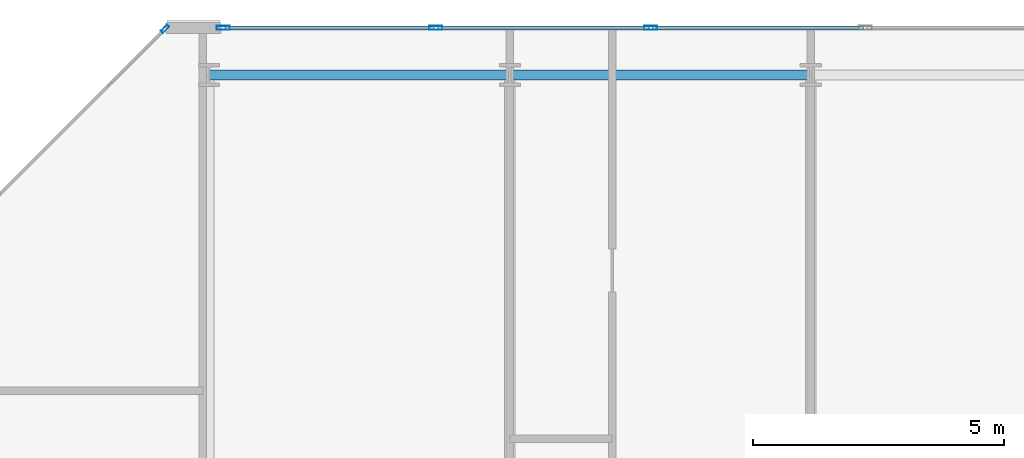
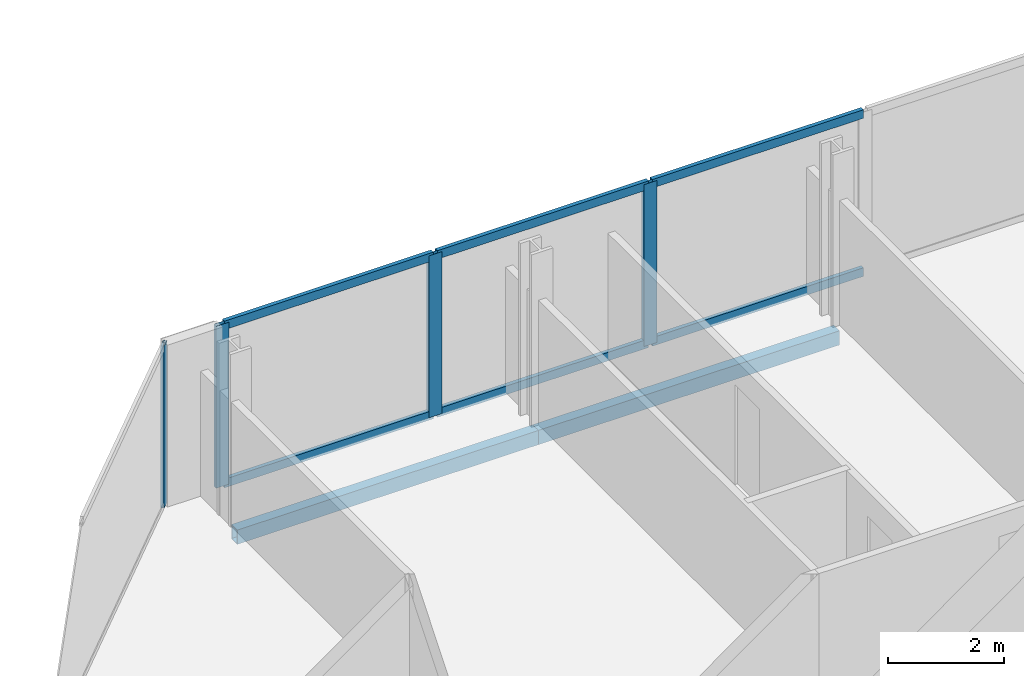
# One storey, part 10 of 17: 10 members, 2 beams, 2 elements without a shape of their own.
"""IFC4 building model written with IfcOpenShell, lengths in metres."""

from ifc_helpers import new_model, si_unit, direction, frame, origin, origin_2d, place, context, subcontext, project, spatial, hollow_rectangle, extrude, material, layer, layer_set, material_profile, profile_set, type_object, element, aggregate, save


model = new_model("IFC4")

# Units and contexts
model_context = context("Model", 3, precision=1e-05, world=origin(), true_north=direction((0.0, 1.0)))
body_context = subcontext(model_context, "Body", "Model", "MODEL_VIEW")
ifc_project = project(units=[si_unit("LENGTHUNIT", "METRE"), si_unit("AREAUNIT", "SQUARE_METRE"), si_unit("VOLUMEUNIT", "CUBIC_METRE"), si_unit("PLANEANGLEUNIT", "RADIAN"), si_unit("MASSUNIT", "GRAM", prefix="KILO")], contexts=[model_context])

# Site, building, storey
site_placement = place(None, origin())
site = spatial("IfcSite", under=ifc_project, at=site_placement, CompositionType="ELEMENT")
building_placement = place(site_placement, origin())
building = spatial("IfcBuilding", under=site, at=building_placement, Name="Tanjung Sevakor Pilgrim Tower", CompositionType="ELEMENT")
storey_placement = place(building_placement, frame((0.0, 0.0, 264.330078125)))
storey = spatial("IfcBuildingStorey", under=building, at=storey_placement, Name="L74", CompositionType="ELEMENT", Elevation=264.330078125)

# Beams
ifc_material_1 = material(Name="Steel S355J2", Category="steel")
ifc_material_profile_1 = material_profile(ifc_material_1, hollow_rectangle(XDim=0.199951171875, YDim=0.300048828125, WallThickness=0.012451171875, at=origin_2d()))
ifc_profile_set_1 = profile_set([ifc_material_profile_1], Name="Steel S355J2")
beam_type = type_object("IfcBeamType", Name="BM-B-SP3-RHS_300x200x12.5", PredefinedType="SPANDREL", material=ifc_profile_set_1)
for number, where, z_axis, x_axis, name in (
    (1, (72.0, 53.949951171875, -0.3701171875), (1.0, 0.0, 0.0), (0.0, 1.0, 0.0), "L74 Spandrel EAST N-02"),
    (2, (78.0, 53.949951171875, -0.3701171875), (1.0, 0.0, 0.0), (0.0, 1.0, 0.0), "L74 Spandrel EAST N-04"),
):
    element("IfcBeam", number, at=place(storey_placement, frame(where, z_axis=z_axis, x_axis=x_axis)), inside=storey, type_object=beam_type, Name=name, PredefinedType="SPANDREL", context=body_context, shape_type="SweptSolid", body=[
        extrude(hollow_rectangle(XDim=0.199951171875, YDim=0.300048828125, WallThickness=0.012451171875, at=origin_2d()), origin(), (0.0, 0.0, 1.0), 6.0),
    ])

# Curtain wall, member
ifc_material_2 = material(Name="Aluminium 6063-T6 and Low-E Glass", Category="aluminium")
ifc_layer_1 = layer(ifc_material_2, 0.179931640625)
ifc_layer_set_1 = layer_set([ifc_layer_1], Name="CW-SYS-CHAM")
curtain_wall_type_1 = type_object("IfcCurtainWallType", Name="CW-SYS-CHAM", PredefinedType="NOTDEFINED", material=ifc_layer_set_1)
curtain_wall_1_placement = place(storey_placement, origin())
curtain_wall_1 = element("IfcCurtainWall", 3, at=curtain_wall_1_placement, inside=storey, type_object=curtain_wall_type_1, Name="L74 Curtain Wall CW-CHM-L74-EAST-5", PredefinedType="NOTDEFINED")
ifc_material_3 = material(Name="Aluminium 6063-T6", Category="aluminium")
ifc_material_profile_2 = material_profile(ifc_material_3, hollow_rectangle(XDim=0.06494140625, YDim=0.179931640625, WallThickness=0.00390625, at=origin_2d()))
ifc_profile_set_2 = profile_set([ifc_material_profile_2], Name="Aluminium 6063-T6")
member_type_1 = type_object("IfcMemberType", Name="TYPE-CWM-1", PredefinedType="MULLION", material=ifc_profile_set_2)
member_1_placement = place(storey_placement, frame((71.12255859375, 54.866943359375, 0.0), z_axis=(0.0, 0.0, 1.0), x_axis=(0.707106781187, -0.707106781187, 0.0)))
member_1 = element("IfcMember", 4, at=member_1_placement, type_object=member_type_1, Name="CW-CHM mullion 1", PredefinedType="MULLION", context=body_context, shape_type="SweptSolid", body=[
    extrude(hollow_rectangle(XDim=0.06494140625, YDim=0.179931640625, WallThickness=0.00390625, at=origin_2d()), origin(), (0.0, 0.0, 1.0), 3.409912109375),
])
aggregate(curtain_wall_1, [member_1])

# Curtain wall, members
ifc_material_4 = material(Name="Aluminium 6063-T6 and Low-E Glass", Category="aluminium")
ifc_layer_2 = layer(ifc_material_4, 0.219970703125)
ifc_layer_set_2 = layer_set([ifc_layer_2], Name="CW-SYS-CRNE")
curtain_wall_type_2 = type_object("IfcCurtainWallType", Name="CW-SYS-CRNE", PredefinedType="NOTDEFINED", material=ifc_layer_set_2)
curtain_wall_2_placement = place(storey_placement, origin())
curtain_wall_2 = element("IfcCurtainWall", 5, at=curtain_wall_2_placement, inside=storey, type_object=curtain_wall_type_2, Name="L74 Curtain Wall CW-CRN-L74-EAST-4-1", PredefinedType="NOTDEFINED")
ifc_material_5 = material(Name="Aluminium 6063-T6", Category="aluminium")
ifc_material_profile_3 = material_profile(ifc_material_5, hollow_rectangle(XDim=0.080078125, YDim=0.260009765625, WallThickness=0.0048828125, at=origin_2d()))
ifc_profile_set_3 = profile_set([ifc_material_profile_3], Name="Aluminium 6063-T6")
member_type_2 = type_object("IfcMemberType", Name="TYPE-CWM-3", PredefinedType="MULLION", material=ifc_profile_set_3)
member_2_placement = place(storey_placement, frame((80.80908203125, 54.889892578125, 0.0), z_axis=(0.0, 0.0, 1.0), x_axis=(0.0, -1.0, 0.0)))
member_2 = element("IfcMember", 6, at=member_2_placement, type_object=member_type_2, Name="CW-CRE mullion 4", PredefinedType="MULLION", context=body_context, shape_type="SweptSolid", body=[
    extrude(hollow_rectangle(XDim=0.080078125, YDim=0.260009765625, WallThickness=0.0048828125, at=origin_2d()), origin(), (0.0, 0.0, 1.0), 3.409912109375),
])
member_3_placement = place(storey_placement, frame((76.52734375, 54.889892578125, 0.0), z_axis=(0.0, 0.0, 1.0), x_axis=(0.0, -1.0, 0.0)))
member_3 = element("IfcMember", 7, at=member_3_placement, type_object=member_type_2, Name="CW-CRE mullion 5", PredefinedType="MULLION", context=body_context, shape_type="SweptSolid", body=[
    extrude(hollow_rectangle(XDim=0.080078125, YDim=0.260009765625, WallThickness=0.0048828125, at=origin_2d()), origin(), (0.0, 0.0, 1.0), 3.409912109375),
])
member_4_placement = place(storey_placement, frame((72.28564453125, 54.889892578125, 0.0), z_axis=(0.0, 0.0, 1.0), x_axis=(0.0, -1.0, 0.0)))
member_4 = element("IfcMember", 8, at=member_4_placement, type_object=member_type_2, Name="CW-CRE mullion 6", PredefinedType="MULLION", context=body_context, shape_type="SweptSolid", body=[
    extrude(hollow_rectangle(XDim=0.080078125, YDim=0.260009765625, WallThickness=0.0048828125, at=origin_2d()), origin(), (0.0, 0.0, 1.0), 3.409912109375),
])
ifc_material_6 = material(Name="Aluminium 6063-T6", Category="aluminium")
ifc_material_profile_4 = material_profile(ifc_material_6, hollow_rectangle(XDim=0.080078125, YDim=0.179931640625, WallThickness=0.0048828125, at=origin_2d()))
ifc_profile_set_4 = profile_set([ifc_material_profile_4], Name="Aluminium 6063-T6")
member_type_3 = type_object("IfcMemberType", Name="TYPE-CWT-3", PredefinedType="USERDEFINED", material=ifc_profile_set_4)
member_5_placement = place(storey_placement, frame((85.05078125, 54.889892578125, 0.0400390625), z_axis=(-1.0, 0.0, 0.0), x_axis=(0.0, -1.0, 0.0)))
member_5 = element("IfcMember", 9, at=member_5_placement, type_object=member_type_3, Name="CW-CRE transom 3.1", ObjectType="TRANSOM", PredefinedType="USERDEFINED", context=body_context, shape_type="SweptSolid", body=[
    extrude(hollow_rectangle(XDim=0.080078125, YDim=0.179931640625, WallThickness=0.0048828125, at=origin_2d()), origin(), (0.0, 0.0, 1.0), 4.20166015625),
])
member_6_placement = place(storey_placement, frame((85.05078125, 54.889892578125, 3.369873046875), z_axis=(-1.0, 0.0, 0.0), x_axis=(0.0, -1.0, 0.0)))
member_6 = element("IfcMember", 10, at=member_6_placement, type_object=member_type_3, Name="CW-CRE transom 3.2", ObjectType="TRANSOM", PredefinedType="USERDEFINED", context=body_context, shape_type="SweptSolid", body=[
    extrude(hollow_rectangle(XDim=0.080078125, YDim=0.179931640625, WallThickness=0.0048828125, at=origin_2d()), origin(), (0.0, 0.0, 1.0), 4.20166015625),
])
member_7_placement = place(storey_placement, frame((80.76904296875, 54.889892578125, 0.0400390625), z_axis=(-1.0, 0.0, 0.0), x_axis=(0.0, -1.0, 0.0)))
member_7 = element("IfcMember", 11, at=member_7_placement, type_object=member_type_3, Name="CW-CRE transom 4.1", ObjectType="TRANSOM", PredefinedType="USERDEFINED", context=body_context, shape_type="SweptSolid", body=[
    extrude(hollow_rectangle(XDim=0.080078125, YDim=0.179931640625, WallThickness=0.0048828125, at=origin_2d()), origin(), (0.0, 0.0, 1.0), 4.20166015625),
])
member_8_placement = place(storey_placement, frame((80.76904296875, 54.889892578125, 3.369873046875), z_axis=(-1.0, 0.0, 0.0), x_axis=(0.0, -1.0, 0.0)))
member_8 = element("IfcMember", 12, at=member_8_placement, type_object=member_type_3, Name="CW-CRE transom 4.2", ObjectType="TRANSOM", PredefinedType="USERDEFINED", context=body_context, shape_type="SweptSolid", body=[
    extrude(hollow_rectangle(XDim=0.080078125, YDim=0.179931640625, WallThickness=0.0048828125, at=origin_2d()), origin(), (0.0, 0.0, 1.0), 4.20166015625),
])
member_9_placement = place(storey_placement, frame((76.4873046875, 54.889892578125, 0.0400390625), z_axis=(-1.0, 0.0, 0.0), x_axis=(0.0, -1.0, 0.0)))
member_9 = element("IfcMember", 13, at=member_9_placement, type_object=member_type_3, Name="CW-CRE transom 5.1", ObjectType="TRANSOM", PredefinedType="USERDEFINED", context=body_context, shape_type="SweptSolid", body=[
    extrude(hollow_rectangle(XDim=0.080078125, YDim=0.179931640625, WallThickness=0.0048828125, at=origin_2d()), origin(), (0.0, 0.0, 1.0), 4.16162109375),
])
member_10_placement = place(storey_placement, frame((76.4873046875, 54.889892578125, 3.369873046875), z_axis=(-1.0, 0.0, 0.0), x_axis=(0.0, -1.0, 0.0)))
member_10 = element("IfcMember", 14, at=member_10_placement, type_object=member_type_3, Name="CW-CRE transom 5.2", ObjectType="TRANSOM", PredefinedType="USERDEFINED", context=body_context, shape_type="SweptSolid", body=[
    extrude(hollow_rectangle(XDim=0.080078125, YDim=0.179931640625, WallThickness=0.0048828125, at=origin_2d()), origin(), (0.0, 0.0, 1.0), 4.16162109375),
])
aggregate(curtain_wall_2, [member_2, member_3, member_4, member_5, member_6, member_7, member_8, member_9, member_10])

save(model, "model.ifc")
